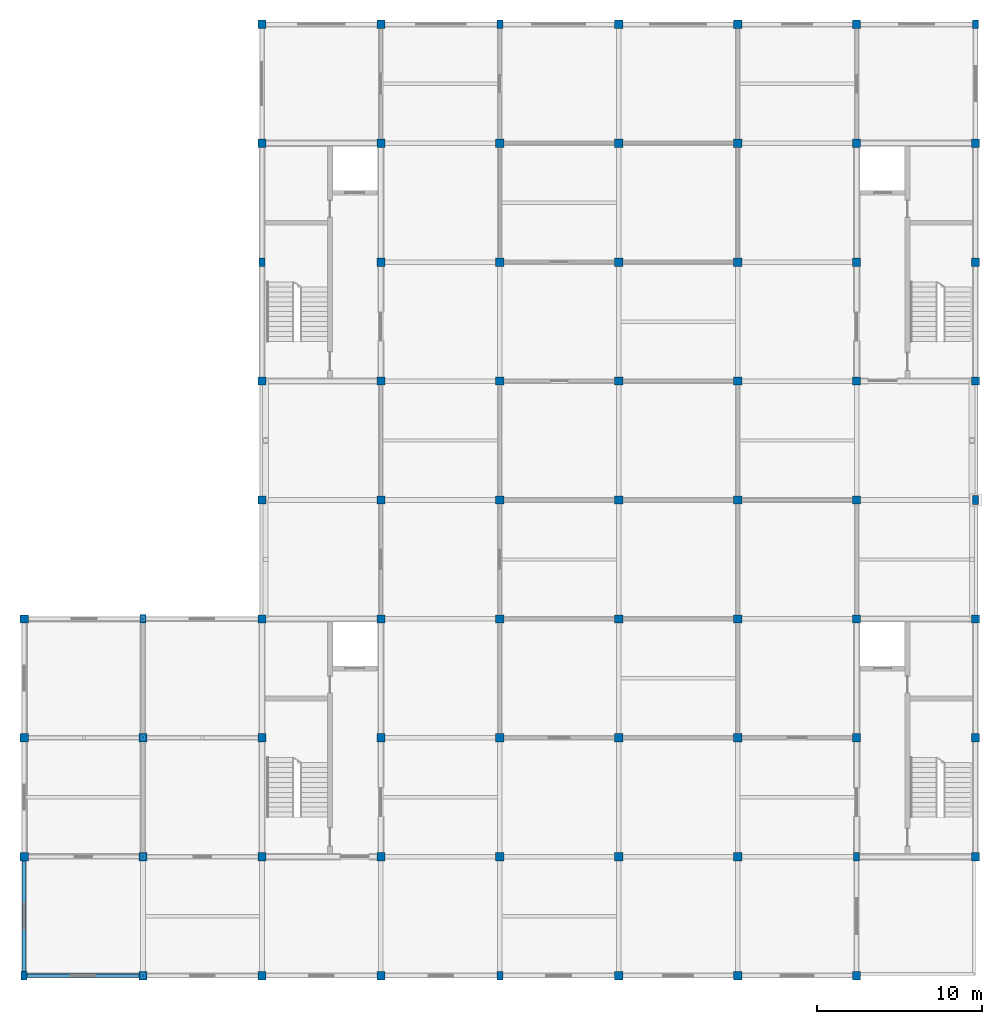
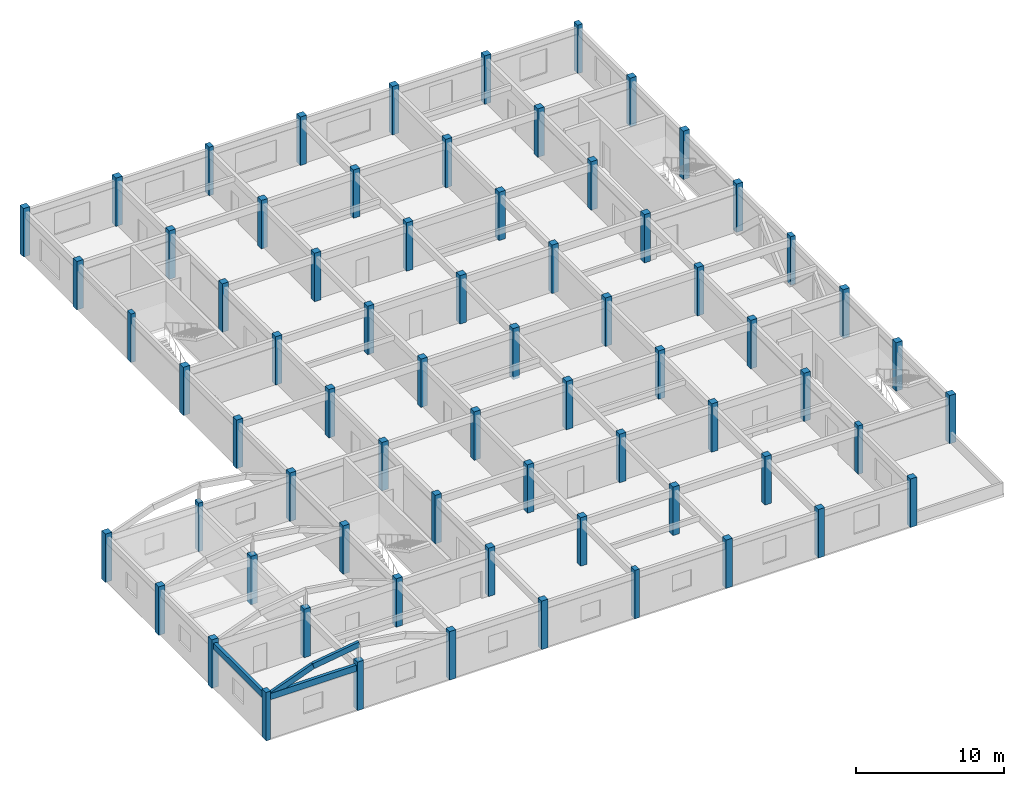
# One storey, part 1 of 10: 70 columns, 2 beams, 2 members.
"""IFC4 building model written with IfcOpenShell, lengths in metres."""

from ifc_helpers import new_model, si_unit, direction, frame, origin, origin_2d, place, context, subcontext, project, spatial, rectangle, extrude, material, material_profile, profile_set, type_object, element, save


model = new_model("IFC4")

# Units and contexts
model_context = context("Model", 3, precision=1e-05, world=origin(), true_north=direction((0.0, 1.0)))
body_context = subcontext(model_context, "Body", "Model", "MODEL_VIEW")
ifc_project = project(units=[si_unit("LENGTHUNIT", "METRE"), si_unit("AREAUNIT", "SQUARE_METRE"), si_unit("VOLUMEUNIT", "CUBIC_METRE"), si_unit("PLANEANGLEUNIT", "RADIAN"), si_unit("MASSUNIT", "GRAM", prefix="KILO")], contexts=[model_context])

# Site, building, storey
site_placement = place(None, origin())
site = spatial("IfcSite", under=ifc_project, at=site_placement, CompositionType="ELEMENT")
building_placement = place(site_placement, origin())
building = spatial("IfcBuilding", under=site, at=building_placement, Name="Cendaluz Park School", CompositionType="ELEMENT")
storey_placement = place(building_placement, frame((0.0, 0.0, 51.0)))
storey = spatial("IfcBuildingStorey", under=building, at=storey_placement, Name="L12", CompositionType="ELEMENT", Elevation=51.0)

# Columns
ifc_material_1 = material(Name="Glulam GL32h", Category="wood")
ifc_material_profile_1 = material_profile(ifc_material_1, rectangle(XDim=0.5, YDim=0.5, at=origin_2d()), Name="GL32h 500x500", Category="wood")
ifc_profile_set_1 = profile_set([ifc_material_profile_1], Name="Glulam GL32h")
column_type_1 = type_object("IfcColumnType", Name="C-GL02", PredefinedType="COLUMN", material=ifc_profile_set_1)
for number, where, z_axis, x_axis, name in (
    (1, (50.39990234375, 14.39990234375, 0.0), (0.0, 0.0, 1.0), (1.0, 0.0, 0.0), "C-L12-CGL02-002"),
    (2, (50.39990234375, 21.60009765625, 0.0), (0.0, 0.0, 1.0), (1.0, 0.0, 0.0), "C-L12-CGL02-003"),
    (3, (50.39990234375, 28.800048828125, 0.0), (0.0, 0.0, 1.0), (1.0, 0.0, 0.0), "C-L12-CGL02-004"),
    (4, (57.60009765625, 7.199951171875, 0.0), (0.0, 0.0, 1.0), (1.0, 0.0, 0.0), "C-L12-CGL02-005"),
    (5, (57.60009765625, 14.39990234375, 0.0), (0.0, 0.0, 1.0), (1.0, 0.0, 0.0), "C-L12-CGL02-006"),
    (6, (57.60009765625, 21.60009765625, 0.0), (0.0, 0.0, 1.0), (1.0, 0.0, 0.0), "C-L12-CGL02-007"),
    (7, (64.800048828125, 7.199951171875, 0.0), (0.0, 0.0, 1.0), (1.0, 0.0, 0.0), "C-L12-CGL02-009"),
    (8, (64.800048828125, 14.39990234375, 0.0), (0.0, 0.0, 1.0), (1.0, 0.0, 0.0), "C-L12-CGL02-010"),
    (9, (64.800048828125, 21.60009765625, 0.0), (0.0, 0.0, 1.0), (1.0, 0.0, 0.0), "C-L12-CGL02-011"),
    (10, (64.800048828125, 28.800048828125, 0.0), (0.0, 0.0, 1.0), (1.0, 0.0, 0.0), "C-L12-CGL02-012"),
    (11, (64.800048828125, 36.0, 0.0), (0.0, 0.0, 1.0), (1.0, 0.0, 0.0), "C-L12-CGL02-013"),
    (12, (64.800048828125, 43.199951171875, 0.0), (0.0, 0.0, 1.0), (1.0, 0.0, 0.0), "C-L12-CGL02-014"),
    (13, (64.800048828125, 57.60009765625, 0.0), (0.0, 0.0, 1.0), (1.0, 0.0, 0.0), "C-L12-CGL02-016"),
    (14, (64.800048828125, 64.800048828125, 0.0), (0.0, 0.0, 1.0), (1.0, 0.0, 0.0), "C-L12-CGL02-017"),
    (15, (72.0, 7.199951171875, 0.0), (0.0, 0.0, 1.0), (1.0, 0.0, 0.0), "C-L12-CGL02-018"),
    (16, (72.0, 14.39990234375, 0.0), (0.0, 0.0, 1.0), (1.0, 0.0, 0.0), "C-L12-CGL02-019"),
    (17, (72.0, 21.60009765625, 0.0), (0.0, 0.0, 1.0), (1.0, 0.0, 0.0), "C-L12-CGL02-020"),
    (18, (72.0, 28.800048828125, 0.0), (0.0, 0.0, 1.0), (1.0, 0.0, 0.0), "C-L12-CGL02-021"),
    (19, (72.0, 36.0, 0.0), (0.0, 0.0, 1.0), (1.0, 0.0, 0.0), "C-L12-CGL02-022"),
    (20, (72.0, 43.199951171875, 0.0), (0.0, 0.0, 1.0), (1.0, 0.0, 0.0), "C-L12-CGL02-023"),
    (21, (72.0, 50.39990234375, 0.0), (0.0, 0.0, 1.0), (1.0, 0.0, 0.0), "C-L12-CGL02-024"),
    (22, (72.0, 57.60009765625, 0.0), (0.0, 0.0, 1.0), (1.0, 0.0, 0.0), "C-L12-CGL02-025"),
    (23, (72.0, 64.800048828125, 0.0), (0.0, 0.0, 1.0), (1.0, 0.0, 0.0), "C-L12-CGL02-026"),
    (24, (79.199951171875, 14.39990234375, 0.0), (0.0, 0.0, 1.0), (1.0, 0.0, 0.0), "C-L12-CGL02-028"),
    (25, (79.199951171875, 21.60009765625, 0.0), (0.0, 0.0, 1.0), (1.0, 0.0, 0.0), "C-L12-CGL02-029"),
    (26, (79.199951171875, 28.800048828125, 0.0), (0.0, 0.0, 1.0), (1.0, 0.0, 0.0), "C-L12-CGL02-030"),
    (27, (79.199951171875, 36.0, 0.0), (0.0, 0.0, 1.0), (1.0, 0.0, 0.0), "C-L12-CGL02-031"),
    (28, (79.199951171875, 43.199951171875, 0.0), (0.0, 0.0, 1.0), (1.0, 0.0, 0.0), "C-L12-CGL02-032"),
    (29, (79.199951171875, 50.39990234375, 0.0), (0.0, 0.0, 1.0), (1.0, 0.0, 0.0), "C-L12-CGL02-033"),
    (30, (79.199951171875, 57.60009765625, 0.0), (0.0, 0.0, 1.0), (1.0, 0.0, 0.0), "C-L12-CGL02-034"),
    (31, (86.39990234375, 7.199951171875, 0.0), (0.0, 0.0, 1.0), (1.0, 0.0, 0.0), "C-L12-CGL02-036"),
    (32, (86.39990234375, 14.39990234375, 0.0), (0.0, 0.0, 1.0), (1.0, 0.0, 0.0), "C-L12-CGL02-037"),
    (33, (86.39990234375, 21.60009765625, 0.0), (0.0, 0.0, 1.0), (1.0, 0.0, 0.0), "C-L12-CGL02-038"),
    (34, (86.39990234375, 28.800048828125, 0.0), (0.0, 0.0, 1.0), (1.0, 0.0, 0.0), "C-L12-CGL02-039"),
):
    element("IfcColumn", number, at=place(storey_placement, frame(where, z_axis=z_axis, x_axis=x_axis)), inside=storey, type_object=column_type_1, Name=name, PredefinedType="COLUMN", context=body_context, shape_type="SweptSolid", body=[
        extrude(rectangle(XDim=0.5, YDim=0.5, at=origin_2d()), origin(), (0.0, 0.0, 1.0), 4.0),
    ])
column_placement = place(storey_placement, frame((86.39990234375, 36.0, -0.22998046875), z_axis=(0.0, 0.0, 1.0), x_axis=(1.0, 0.0, 0.0)))
element("IfcColumn", 35, at=column_placement, inside=storey, type_object=column_type_1, Name="C-L12-CGL02-040", PredefinedType="COLUMN", context=body_context, shape_type="SweptSolid", body=[
    extrude(rectangle(XDim=0.5, YDim=0.5, at=origin_2d()), origin(), (0.0, 0.0, 1.0), 4.22998046875),
])
for number, where, z_axis, x_axis, name in (
    (36, (86.39990234375, 43.199951171875, 0.0), (0.0, 0.0, 1.0), (1.0, 0.0, 0.0), "C-L12-CGL02-041"),
    (37, (86.39990234375, 50.39990234375, 0.0), (0.0, 0.0, 1.0), (1.0, 0.0, 0.0), "C-L12-CGL02-042"),
    (38, (86.39990234375, 57.60009765625, 0.0), (0.0, 0.0, 1.0), (1.0, 0.0, 0.0), "C-L12-CGL02-043"),
    (39, (86.39990234375, 64.800048828125, 0.0), (0.0, 0.0, 1.0), (1.0, 0.0, 0.0), "C-L12-CGL02-044"),
    (40, (93.60009765625, 7.199951171875, 0.0), (0.0, 0.0, 1.0), (1.0, 0.0, 0.0), "C-L12-CGL02-045"),
    (41, (93.60009765625, 14.39990234375, 0.0), (0.0, 0.0, 1.0), (1.0, 0.0, 0.0), "C-L12-CGL02-046"),
    (42, (93.60009765625, 21.60009765625, 0.0), (0.0, 0.0, 1.0), (1.0, 0.0, 0.0), "C-L12-CGL02-047"),
    (43, (93.60009765625, 28.800048828125, 0.0), (0.0, 0.0, 1.0), (1.0, 0.0, 0.0), "C-L12-CGL02-048"),
    (44, (93.60009765625, 36.0, 0.0), (0.0, 0.0, 1.0), (1.0, 0.0, 0.0), "C-L12-CGL02-049"),
    (45, (93.60009765625, 43.199951171875, 0.0), (0.0, 0.0, 1.0), (1.0, 0.0, 0.0), "C-L12-CGL02-050"),
    (46, (93.60009765625, 50.39990234375, 0.0), (0.0, 0.0, 1.0), (1.0, 0.0, 0.0), "C-L12-CGL02-051"),
    (47, (93.60009765625, 57.60009765625, 0.0), (0.0, 0.0, 1.0), (1.0, 0.0, 0.0), "C-L12-CGL02-052"),
    (48, (93.60009765625, 64.800048828125, 0.0), (0.0, 0.0, 1.0), (1.0, 0.0, 0.0), "C-L12-CGL02-053"),
    (49, (100.800048828125, 7.199951171875, 0.0), (0.0, 0.0, 1.0), (1.0, 0.0, 0.0), "C-L12-CGL02-054"),
    (50, (100.800048828125, 21.60009765625, 0.0), (0.0, 0.0, 1.0), (1.0, 0.0, 0.0), "C-L12-CGL02-056"),
    (51, (100.800048828125, 28.800048828125, 0.0), (0.0, 0.0, 1.0), (1.0, 0.0, 0.0), "C-L12-CGL02-057"),
    (52, (100.800048828125, 36.0, 0.0), (0.0, 0.0, 1.0), (1.0, 0.0, 0.0), "C-L12-CGL02-058"),
    (53, (100.800048828125, 43.199951171875, 0.0), (0.0, 0.0, 1.0), (1.0, 0.0, 0.0), "C-L12-CGL02-059"),
    (54, (100.800048828125, 50.39990234375, 0.0), (0.0, 0.0, 1.0), (1.0, 0.0, 0.0), "C-L12-CGL02-060"),
    (55, (100.800048828125, 57.60009765625, 0.0), (0.0, 0.0, 1.0), (1.0, 0.0, 0.0), "C-L12-CGL02-061"),
    (56, (100.800048828125, 64.800048828125, 0.0), (0.0, 0.0, 1.0), (1.0, 0.0, 0.0), "C-L12-CGL02-062"),
    (57, (108.0, 14.39990234375, 0.0), (0.0, 0.0, 1.0), (1.0, 0.0, 0.0), "C-L12-CGL02-063"),
    (58, (108.0, 21.60009765625, 0.0), (0.0, 0.0, 1.0), (1.0, 0.0, 0.0), "C-L12-CGL02-064"),
    (59, (108.0, 28.800048828125, 0.0), (0.0, 0.0, 1.0), (1.0, 0.0, 0.0), "C-L12-CGL02-065"),
    (60, (108.0, 43.199951171875, 0.0), (0.0, 0.0, 1.0), (1.0, 0.0, 0.0), "C-L12-CGL02-067"),
    (61, (108.0, 50.39990234375, 0.0), (0.0, 0.0, 1.0), (1.0, 0.0, 0.0), "C-L12-CGL02-068"),
    (62, (108.0, 57.60009765625, 0.0), (0.0, 0.0, 1.0), (1.0, 0.0, 0.0), "C-L12-CGL02-069"),
):
    element("IfcColumn", number, at=place(storey_placement, frame(where, z_axis=z_axis, x_axis=x_axis)), inside=storey, type_object=column_type_1, Name=name, PredefinedType="COLUMN", context=body_context, shape_type="SweptSolid", body=[
        extrude(rectangle(XDim=0.5, YDim=0.5, at=origin_2d()), origin(), (0.0, 0.0, 1.0), 4.0),
    ])
ifc_material_profile_2 = material_profile(ifc_material_1, rectangle(XDim=0.360107421875, YDim=0.52001953125, at=origin_2d()), Name="GL32h 360x520", Category="wood")
ifc_profile_set_2 = profile_set([ifc_material_profile_2], Name="Glulam GL32h")
column_type_2 = type_object("IfcColumnType", Name="C-PL02", PredefinedType="PILASTER", material=ifc_profile_set_2)
for number, where, z_axis, x_axis, name in (
    (63, (50.39990234375, 7.199951171875, 0.0), (0.0, 0.0, 1.0), (1.0, 0.0, 0.0), "C-L12-CPL02-001"),
    (64, (57.60009765625, 28.800048828125, 0.0), (0.0, 0.0, 1.0), (1.0, 0.0, 0.0), "C-L12-CPL02-008"),
    (65, (64.800048828125, 50.39990234375, 0.0), (0.0, 0.0, 1.0), (1.0, 0.0, 0.0), "C-L12-CPL02-015"),
    (66, (79.199951171875, 7.199951171875, 0.0), (0.0, 0.0, 1.0), (1.0, 0.0, 0.0), "C-L12-CPL02-027"),
    (67, (79.199951171875, 64.800048828125, 0.0), (0.0, 0.0, 1.0), (1.0, 0.0, 0.0), "C-L12-CPL02-035"),
    (68, (100.800048828125, 14.39990234375, 0.0), (0.0, 0.0, 1.0), (1.0, 0.0, 0.0), "C-L12-CPL02-055"),
    (69, (108.0, 36.0, 0.0), (0.0, 0.0, 1.0), (1.0, 0.0, 0.0), "C-L12-CPL02-066"),
    (70, (108.0, 64.800048828125, 0.0), (0.0, 0.0, 1.0), (1.0, 0.0, 0.0), "C-L12-CPL02-070"),
):
    element("IfcColumn", number, at=place(storey_placement, frame(where, z_axis=z_axis, x_axis=x_axis)), inside=storey, type_object=column_type_2, Name=name, PredefinedType="PILASTER", context=body_context, shape_type="SweptSolid", body=[
        extrude(rectangle(XDim=0.360107421875, YDim=0.52001953125, at=origin_2d()), origin(), (0.0, 0.0, 1.0), 4.0),
    ])

# Beams
ifc_material_2 = material(Name="Glulam GL28h", Category="wood")
ifc_material_profile_3 = material_profile(ifc_material_2, rectangle(XDim=0.239990234375, YDim=0.52001953125, at=origin_2d()), Name="GL28h 240x520", Category="wood")
ifc_profile_set_3 = profile_set([ifc_material_profile_3], Name="Glulam GL28h")
beam_type = type_object("IfcBeamType", Name="BM-GL03", PredefinedType="SPANDREL", material=ifc_profile_set_3)
beam_1_placement = place(storey_placement, frame((50.580078125, 7.199951171875, 3.429931640625), z_axis=(1.0, 0.0, 0.0), x_axis=(0.0, 1.0, 0.0)))
element("IfcBeam", 71, at=beam_1_placement, inside=storey, type_object=beam_type, Name="BM-L12-BMGL03-0001", PredefinedType="SPANDREL", context=body_context, shape_type="SweptSolid", body=[
    extrude(rectangle(XDim=0.239990234375, YDim=0.52001953125, at=origin_2d()), origin(), (0.0, 0.0, 1.0), 6.77001953125),
])
beam_2_placement = place(storey_placement, frame((50.39990234375, 7.4599609375, 3.429931640625), z_axis=(0.0, 1.0, 0.0), x_axis=(-1.0, 0.0, 0.0)))
element("IfcBeam", 72, at=beam_2_placement, inside=storey, type_object=beam_type, Name="BM-L12-BMGL03-0058", PredefinedType="SPANDREL", context=body_context, shape_type="SweptSolid", body=[
    extrude(rectangle(XDim=0.239990234375, YDim=0.52001953125, at=origin_2d()), origin(), (0.0, 0.0, 1.0), 6.68994140625),
])

# Members
ifc_material_profile_4 = material_profile(ifc_material_2, rectangle(XDim=0.219970703125, YDim=0.4599609375, at=origin_2d()), Name="GL28h 220x460", Category="wood")
ifc_profile_set_4 = profile_set([ifc_material_profile_4], Name="Glulam GL28h")
member_type = type_object("IfcMemberType", Name="MB-CH03", PredefinedType="CHORD", material=ifc_profile_set_4)
member_1_placement = place(storey_placement, frame((50.64990234375, 7.199951171875, 3.5), z_axis=(0.936458125495, 0.0, 0.350779388212), x_axis=(0.0, 1.0, 0.0)))
element("IfcMember", 73, at=member_1_placement, inside=storey, type_object=member_type, Name="MB-L12-MBCH03-0014", PredefinedType="CHORD", context=body_context, shape_type="SweptSolid", body=[
    extrude(rectangle(XDim=0.219970703125, YDim=0.4599609375, at=origin_2d()), origin(), (0.0, 0.0, 1.0), 3.577392578125),
])
member_2_placement = place(storey_placement, frame((54.0, 7.199951171875, 4.7548828125), z_axis=(0.989131312864, 0.0, 0.147034845911), x_axis=(0.0, 1.0, 0.0)))
element("IfcMember", 74, at=member_2_placement, inside=storey, type_object=member_type, Name="MB-L12-MBCH03-0015", PredefinedType="CHORD", context=body_context, shape_type="SweptSolid", body=[
    extrude(rectangle(XDim=0.219970703125, YDim=0.4599609375, at=origin_2d()), origin(), (0.0, 0.0, 1.0), 3.6396484375),
])

save(model, "model.ifc")
